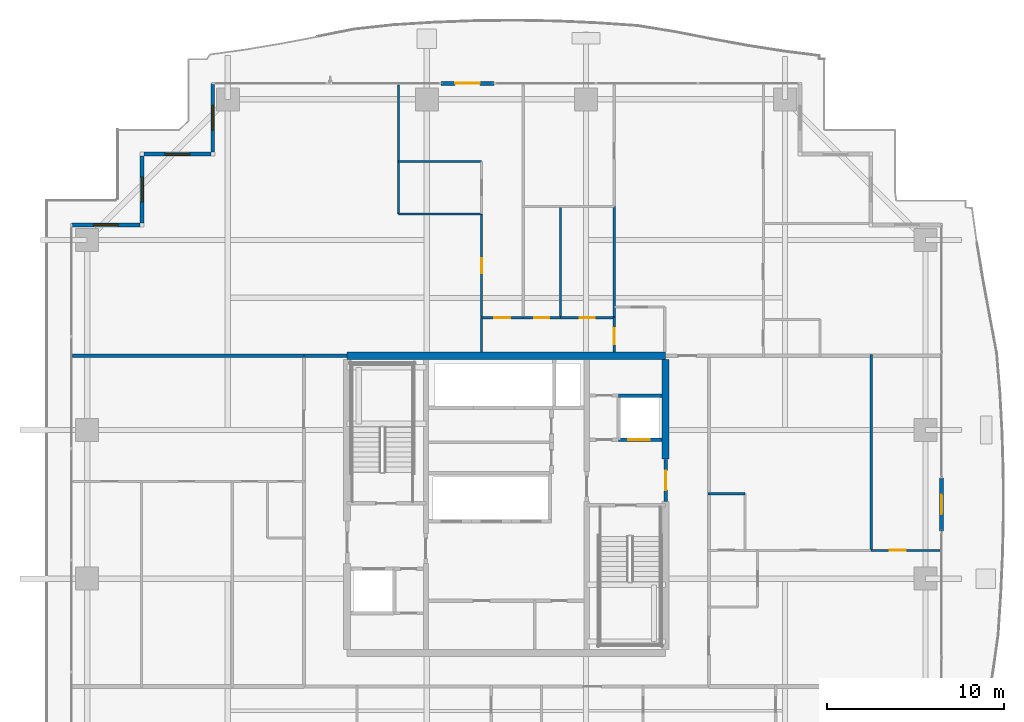
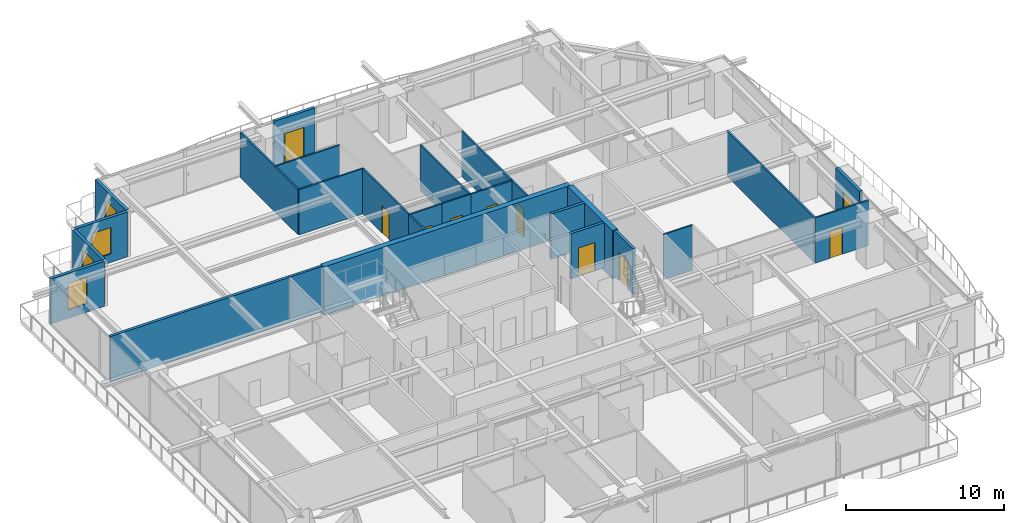
# One storey, part 27 of 34: 27 walls, 10 doors, 4 windows, 14 openings.
"""IFC4 building model written with IfcOpenShell, lengths in metres."""

from ifc_helpers import new_model, si_unit, direction, frame, frame_2d, origin, place, context, subcontext, project, spatial, rectangle, extrude, source, transform, mapped, material, layer, layer_set, type_object, element, fill, save


model = new_model("IFC4")

# Units and contexts
model_context = context("Model", 3, precision=1e-05, world=origin(), true_north=direction((0.0, 1.0)))
body_context = subcontext(model_context, "Body", "Model", "MODEL_VIEW")
ifc_project = project(units=[si_unit("LENGTHUNIT", "METRE"), si_unit("AREAUNIT", "SQUARE_METRE"), si_unit("VOLUMEUNIT", "CUBIC_METRE"), si_unit("PLANEANGLEUNIT", "RADIAN"), si_unit("MASSUNIT", "GRAM", prefix="KILO")], contexts=[model_context])

# Site, building, storey
site_placement = place(None, origin())
site = spatial("IfcSite", under=ifc_project, at=site_placement, CompositionType="ELEMENT")
building_placement = place(site_placement, origin())
building = spatial("IfcBuilding", under=site, at=building_placement, Name="Serunith Strait Residences", CompositionType="ELEMENT")
storey_placement = place(building_placement, frame((0.0, 0.0, 135.14990234375)))
storey = spatial("IfcBuildingStorey", under=building, at=storey_placement, Name="L33", CompositionType="ELEMENT", Elevation=135.14990234375)

# Wall, opening, door
ifc_material_1 = material(Name="Pale-Champagne Aluminium Insulated Panel", Category="aluminium")
ifc_layer_1 = layer(ifc_material_1, 0.219970703125, Name="Pale-Champagne Aluminium Insulated Panel")
ifc_layer_set_1 = layer_set([ifc_layer_1], Name="Pale-Champagne Aluminium Insulated Panel")
wall_type_1 = type_object("IfcWallType", Name="EW-ALUM-220", PredefinedType="ELEMENTEDWALL", material=ifc_layer_set_1)
wall_1_placement = place(storey_placement, frame((57.0, 23.699951171875, 0.0), z_axis=(0.0, 0.0, 1.0), x_axis=(0.0, 1.0, 0.0)))
wall_1 = element("IfcWall", 1, at=wall_1_placement, inside=storey, type_object=wall_type_1, Name="L33 E Facade Pier Wall", PredefinedType="ELEMENTEDWALL", context=body_context, shape_type="SweptSolid", body=[
    extrude(rectangle(XDim=3.0, YDim=0.219970703125, at=frame_2d((1.5, 0.0))), origin(), (0.0, 0.0, 1.0), 3.47509765625),
])
opening_1_placement = place(wall_1_placement, frame((0.949951171875, 0.0, 0.0)))
opening_1 = element("IfcOpeningElement", 2, at=opening_1_placement, cuts=wall_1, Name="Opening ED-03", PredefinedType="OPENING", context=body_context, shape_type="SweptSolid", body=[
    extrude(rectangle(XDim=1.10009765625, YDim=2.199951171875, at=frame_2d((0.550048828125, 1.10009765625))), frame((0.0, 0.1201171875, 0.0), z_axis=(0.0, -1.0, 0.0), x_axis=(1.0, 0.0, 0.0)), (0.0, 0.0, 1.0), 0.239990234375),
])
ifc_material_2 = material(Name="Thermally-Broken Aluminium Glazed Balcony Door", Category="aluminium")
door_type_1 = type_object("IfcDoorType", Name="ED-BALC-1100", OperationType="NOTDEFINED", PredefinedType="DOOR", material=ifc_material_2)
shared_shape_1 = source(origin(), body_context, "Body", "SweptSolid", [
    extrude(rectangle(XDim=1.10009765625, YDim=2.199951171875, at=frame_2d((0.550048828125, 1.10009765625))), frame((0.0, 0.02490234375, 0.0), z_axis=(0.0, -1.0, 0.0), x_axis=(1.0, 0.0, 0.0)), (0.0, 0.0, 1.0), 0.050048828125),
])
door_1_placement = place(opening_1_placement, origin())
door_1 = element("IfcDoor", 3, at=door_1_placement, inside=storey, type_object=door_type_1, Name="L33 E Vertical-Forest Balcony Door", OperationType="SINGLE_SWING_RIGHT", OverallHeight=2.199951171875, OverallWidth=1.10009765625, PredefinedType="DOOR", context=body_context, shape_type="MappedRepresentation", body=[
    mapped(shared_shape_1, transform((0.0, 0.0, 0.0), scale=1.0)),
])
fill(opening_1, door_1)

wall_2_placement = place(storey_placement, frame((31.699951171875, 49.0, 0.0), z_axis=(0.0, 0.0, 1.0), x_axis=(-1.0, 0.0, 0.0)))
wall_2 = element("IfcWall", 4, at=wall_2_placement, inside=storey, type_object=wall_type_1, Name="L33 N Facade Pier Wall", PredefinedType="ELEMENTEDWALL", context=body_context, shape_type="SweptSolid", body=[
    extrude(rectangle(XDim=3.0, YDim=0.219970703125, at=frame_2d((1.5, 0.0))), origin(), (0.0, 0.0, 1.0), 3.47509765625),
])
opening_2_placement = place(wall_2_placement, frame((0.800048828125, 0.0, 0.0)))
opening_2 = element("IfcOpeningElement", 5, at=opening_2_placement, cuts=wall_2, Name="Opening ED-04", PredefinedType="OPENING", context=body_context, shape_type="SweptSolid", body=[
    extrude(rectangle(XDim=1.39990234375, YDim=2.25, at=frame_2d((0.699951171875, 1.125))), frame((0.0, 0.1201171875, 0.0), z_axis=(0.0, -1.0, 0.0), x_axis=(1.0, 0.0, 0.0)), (0.0, 0.0, 1.0), 0.239990234375),
])
ifc_material_3 = material(Name="Thermally-Broken Aluminium Sliding Balcony Door", Category="aluminium")
door_type_2 = type_object("IfcDoorType", Name="ED-BALC-1400", OperationType="NOTDEFINED", PredefinedType="DOOR", material=ifc_material_3)
shared_shape_2 = source(origin(), body_context, "Body", "SweptSolid", [
    extrude(rectangle(XDim=1.39990234375, YDim=2.25, at=frame_2d((0.699951171875, 1.125))), frame((0.0, 0.02490234375, 0.0), z_axis=(0.0, -1.0, 0.0), x_axis=(1.0, 0.0, 0.0)), (0.0, 0.0, 1.0), 0.050048828125),
])
door_2_placement = place(opening_2_placement, origin())
door_2 = element("IfcDoor", 6, at=door_2_placement, inside=storey, type_object=door_type_2, Name="L33 N Vertical-Forest Balcony Door", OperationType="SLIDING_TO_LEFT", OverallHeight=2.25, OverallWidth=1.39990234375, PredefinedType="DOOR", context=body_context, shape_type="MappedRepresentation", body=[
    mapped(shared_shape_2, transform((0.0, 0.0, 0.0), scale=1.0)),
])
fill(opening_2, door_2)

# Wall, opening, window
wall_3_placement = place(storey_placement, frame((15.800048828125, 49.0, 0.0), z_axis=(0.0, 0.0, 1.0), x_axis=(0.0, -1.0, 0.0)))
wall_3 = element("IfcWall", 7, at=wall_3_placement, inside=storey, type_object=wall_type_1, Name="L33 Girih Serrated Corner Wall 12", PredefinedType="ELEMENTEDWALL", context=body_context, shape_type="SweptSolid", body=[
    extrude(rectangle(XDim=3.889892578125, YDim=0.219970703125, at=frame_2d((1.94482421875, 0.0))), origin(), (0.0, 0.0, 1.0), 3.47509765625),
])
opening_3_placement = place(wall_3_placement, frame((1.2451171875, 0.0, 0.64990234375)))
opening_3 = element("IfcOpeningElement", 8, at=opening_3_placement, cuts=wall_3, Name="Opening W-03", PredefinedType="OPENING", context=body_context, shape_type="SweptSolid", body=[
    extrude(rectangle(XDim=1.39990234375, YDim=2.050048828125, at=frame_2d((0.699951171875, 1.02490234375))), frame((0.0, 0.1201171875, 0.0), z_axis=(0.0, -1.0, 0.0), x_axis=(1.0, 0.0, 0.0)), (0.0, 0.0, 1.0), 0.239990234375),
])
ifc_material_4 = material(Name="Ceramic-Fritted Operable Aluminium Window Glass", Category="aluminium")
window_type = type_object("IfcWindowType", Name="WIN-C3", PartitioningType="SINGLE_PANEL", PredefinedType="WINDOW", material=ifc_material_4)
shared_shape_3 = source(origin(), body_context, "Body", "SweptSolid", [
    extrude(rectangle(XDim=1.39990234375, YDim=2.050048828125, at=frame_2d((0.699951171875, 1.02490234375))), frame((0.0, 0.030029296875, 0.0), z_axis=(0.0, -1.0, 0.0), x_axis=(1.0, 0.0, 0.0)), (0.0, 0.0, 1.0), 0.06005859375),
])
window_1_placement = place(opening_3_placement, origin())
window_1 = element("IfcWindow", 9, at=window_1_placement, inside=storey, type_object=window_type, Name="L33 Corner Operable Fritted Window 12", OverallHeight=2.050048828125, OverallWidth=1.39990234375, PartitioningType="SINGLE_PANEL", PredefinedType="WINDOW", context=body_context, shape_type="MappedRepresentation", body=[
    mapped(shared_shape_3, transform((0.0, 0.0, 0.0), scale=1.0)),
])
fill(opening_3, window_1)

wall_4_placement = place(storey_placement, frame((15.68994140625, 45.0, 0.0), z_axis=(0.0, 0.0, 1.0), x_axis=(-1.0, 0.0, 0.0)))
wall_4 = element("IfcWall", 10, at=wall_4_placement, inside=storey, type_object=wall_type_1, Name="L33 Girih Serrated Corner Wall 13", PredefinedType="ELEMENTEDWALL", context=body_context, shape_type="SweptSolid", body=[
    extrude(rectangle(XDim=3.780029296875, YDim=0.219970703125, at=frame_2d((1.89013671875, 0.0))), origin(), (0.0, 0.0, 1.0), 3.47509765625),
])
opening_4_placement = place(wall_4_placement, frame((1.18994140625, 0.0, 0.64990234375)))
opening_4 = element("IfcOpeningElement", 11, at=opening_4_placement, cuts=wall_4, Name="Opening W-03", PredefinedType="OPENING", context=body_context, shape_type="SweptSolid", body=[
    extrude(rectangle(XDim=1.39990234375, YDim=2.050048828125, at=frame_2d((0.699951171875, 1.02490234375))), frame((0.0, 0.1201171875, 0.0), z_axis=(0.0, -1.0, 0.0), x_axis=(1.0, 0.0, 0.0)), (0.0, 0.0, 1.0), 0.239990234375),
])
window_2_placement = place(opening_4_placement, origin())
window_2 = element("IfcWindow", 12, at=window_2_placement, inside=storey, type_object=window_type, Name="L33 Corner Operable Fritted Window 13", OverallHeight=2.050048828125, OverallWidth=1.39990234375, PartitioningType="SINGLE_PANEL", PredefinedType="WINDOW", context=body_context, shape_type="MappedRepresentation", body=[
    mapped(shared_shape_3, transform((0.0, 0.0, 0.0), scale=1.0)),
])
fill(opening_4, window_2)

wall_5_placement = place(storey_placement, frame((11.800048828125, 44.889892578125, 0.0), z_axis=(0.0, 0.0, 1.0), x_axis=(0.0, -1.0, 0.0)))
wall_5 = element("IfcWall", 13, at=wall_5_placement, inside=storey, type_object=wall_type_1, Name="L33 Girih Serrated Corner Wall 14", PredefinedType="ELEMENTEDWALL", context=body_context, shape_type="SweptSolid", body=[
    extrude(rectangle(XDim=3.77978515625, YDim=0.219970703125, at=frame_2d((1.889892578125, 0.0))), origin(), (0.0, 0.0, 1.0), 3.47509765625),
])
opening_5_placement = place(wall_5_placement, frame((1.18994140625, 0.0, 0.64990234375)))
opening_5 = element("IfcOpeningElement", 14, at=opening_5_placement, cuts=wall_5, Name="Opening W-03", PredefinedType="OPENING", context=body_context, shape_type="SweptSolid", body=[
    extrude(rectangle(XDim=1.39990234375, YDim=2.050048828125, at=frame_2d((0.699951171875, 1.02490234375))), frame((0.0, 0.1201171875, 0.0), z_axis=(0.0, -1.0, 0.0), x_axis=(1.0, 0.0, 0.0)), (0.0, 0.0, 1.0), 0.239990234375),
])
window_3_placement = place(opening_5_placement, origin())
window_3 = element("IfcWindow", 15, at=window_3_placement, inside=storey, type_object=window_type, Name="L33 Corner Operable Fritted Window 14", OverallHeight=2.050048828125, OverallWidth=1.39990234375, PartitioningType="SINGLE_PANEL", PredefinedType="WINDOW", context=body_context, shape_type="MappedRepresentation", body=[
    mapped(shared_shape_3, transform((0.0, 0.0, 0.0), scale=1.0)),
])
fill(opening_5, window_3)

wall_6_placement = place(storey_placement, frame((11.68994140625, 41.0, 0.0), z_axis=(0.0, 0.0, 1.0), x_axis=(-1.0, 0.0, 0.0)))
wall_6 = element("IfcWall", 16, at=wall_6_placement, inside=storey, type_object=wall_type_1, Name="L33 Girih Serrated Corner Wall 15", PredefinedType="ELEMENTEDWALL", context=body_context, shape_type="SweptSolid", body=[
    extrude(rectangle(XDim=3.889892578125, YDim=0.219970703125, at=frame_2d((1.94482421875, 0.0))), origin(), (0.0, 0.0, 1.0), 3.47509765625),
])
opening_6_placement = place(wall_6_placement, frame((1.2451171875, 0.0, 0.64990234375)))
opening_6 = element("IfcOpeningElement", 17, at=opening_6_placement, cuts=wall_6, Name="Opening W-03", PredefinedType="OPENING", context=body_context, shape_type="SweptSolid", body=[
    extrude(rectangle(XDim=1.39990234375, YDim=2.050048828125, at=frame_2d((0.699951171875, 1.02490234375))), frame((0.0, 0.1201171875, 0.0), z_axis=(0.0, -1.0, 0.0), x_axis=(1.0, 0.0, 0.0)), (0.0, 0.0, 1.0), 0.239990234375),
])
window_4_placement = place(opening_6_placement, origin())
window_4 = element("IfcWindow", 18, at=window_4_placement, inside=storey, type_object=window_type, Name="L33 Corner Operable Fritted Window 15", OverallHeight=2.050048828125, OverallWidth=1.39990234375, PartitioningType="SINGLE_PANEL", PredefinedType="WINDOW", context=body_context, shape_type="MappedRepresentation", body=[
    mapped(shared_shape_3, transform((0.0, 0.0, 0.0), scale=1.0)),
])
fill(opening_6, window_4)

# Wall
ifc_material_5 = material(Name="Fire-rated acoustic gypsum partition")
ifc_layer_2 = layer(ifc_material_5, 0.179931640625, Name="Fire-rated acoustic gypsum partition")
ifc_layer_set_2 = layer_set([ifc_layer_2], Name="Fire-rated acoustic gypsum partition")
wall_type_2 = type_object("IfcWallType", Name="IW-CORR-180", PredefinedType="PARTITIONING", material=ifc_layer_set_2)
wall_7_placement = place(storey_placement, frame((20.951904296875, 33.60009765625, 0.0), z_axis=(0.0, 0.0, 1.0), x_axis=(1.0, 0.0, 0.0)))
element("IfcWall", 19, at=wall_7_placement, inside=storey, type_object=wall_type_2, Name="L33 Partition Wall 027", PredefinedType="PARTITIONING", context=body_context, shape_type="SweptSolid", body=[
    extrude(rectangle(XDim=2.446044921875, YDim=0.179931640625, at=frame_2d((1.22314453125, 0.0))), origin(), (0.0, 0.0, 1.0), 3.489990234375),
])

# Wall, opening, door
ifc_material_6 = material(Name="Lightweight steel-stud gypsum partition", Category="steel")
ifc_layer_3 = layer(ifc_material_6, 0.1201171875, Name="Lightweight steel-stud gypsum partition")
ifc_layer_set_3 = layer_set([ifc_layer_3], Name="Lightweight steel-stud gypsum partition")
wall_type_3 = type_object("IfcWallType", Name="IW-PART-120", PredefinedType="PARTITIONING", material=ifc_layer_set_3)
wall_8_placement = place(storey_placement, frame((38.5, 35.75, 0.0), z_axis=(0.0, 0.0, 1.0), x_axis=(0.0, -1.0, 0.0)))
wall_8 = element("IfcWall", 20, at=wall_8_placement, inside=storey, type_object=wall_type_3, Name="L33 Partition Wall 063", PredefinedType="PARTITIONING", context=body_context, shape_type="SweptSolid", body=[
    extrude(rectangle(XDim=1.949951171875, YDim=0.1201171875, at=frame_2d((0.97509765625, 0.0))), origin(), (0.0, 0.0, 1.0), 3.489990234375),
])
opening_7_placement = place(wall_8_placement, frame((0.594970703125, 0.0, 0.0)))
opening_7 = element("IfcOpeningElement", 21, at=opening_7_placement, cuts=wall_8, Name="Opening D-RM900", PredefinedType="OPENING", context=body_context, shape_type="SweptSolid", body=[
    extrude(rectangle(XDim=0.89990234375, YDim=2.10009765625, at=frame_2d((0.449951171875, 1.050048828125))), frame((0.0, 0.070068359375, 0.0), z_axis=(0.0, -1.0, 0.0), x_axis=(1.0, 0.0, 0.0)), (0.0, 0.0, 1.0), 0.14013671875),
])
ifc_material_7 = material(Name="Engineered timber flush bedroom door", Category="wood")
door_type_3 = type_object("IfcDoorType", Name="ID-ROOM-900", OperationType="NOTDEFINED", PredefinedType="DOOR", material=ifc_material_7)
shared_shape_4 = source(origin(), body_context, "Body", "SweptSolid", [
    extrude(rectangle(XDim=0.89990234375, YDim=2.10009765625, at=frame_2d((0.449951171875, 1.050048828125))), frame((0.0, 0.02490234375, 0.0), z_axis=(0.0, -1.0, 0.0), x_axis=(1.0, 0.0, 0.0)), (0.0, 0.0, 1.0), 0.050048828125),
])
door_3_placement = place(opening_7_placement, origin())
door_3 = element("IfcDoor", 22, at=door_3_placement, inside=storey, type_object=door_type_3, Name="L33 Hall W 3302 Door", OperationType="SINGLE_SWING_LEFT", OverallHeight=2.10009765625, OverallWidth=0.89990234375, PredefinedType="DOOR", context=body_context, shape_type="MappedRepresentation", body=[
    mapped(shared_shape_4, transform((0.0, 0.0, 0.0), scale=1.0)),
])
fill(opening_7, door_3)

# Walls
wall_9_placement = place(storey_placement, frame((38.5, 42.041015625, 0.0), z_axis=(0.0, 0.0, 1.0), x_axis=(0.0, -1.0, 0.0)))
element("IfcWall", 23, at=wall_9_placement, inside=storey, type_object=wall_type_3, Name="L33 Partition Wall 065", PredefinedType="PARTITIONING", context=body_context, shape_type="SweptSolid", body=[
    extrude(rectangle(XDim=6.2890625, YDim=0.1201171875, at=frame_2d((3.14453125, 0.0))), origin(), (0.0, 0.0, 1.0), 3.489990234375),
])
wall_10_placement = place(storey_placement, frame((35.449951171875, 42.04296875, 0.0), z_axis=(0.0, 0.0, 1.0), x_axis=(0.0, -1.0, 0.0)))
element("IfcWall", 24, at=wall_10_placement, inside=storey, type_object=wall_type_3, Name="L33 Partition Wall 068", PredefinedType="PARTITIONING", context=body_context, shape_type="SweptSolid", body=[
    extrude(rectangle(XDim=6.29296875, YDim=0.1201171875, at=frame_2d((3.146484375, 0.0))), origin(), (0.0, 0.0, 1.0), 3.489990234375),
])

# Wall, opening, door
wall_11_placement = place(storey_placement, frame((33.35009765625, 35.75, 0.0), z_axis=(0.0, 0.0, 1.0), x_axis=(1.0, 0.0, 0.0)))
wall_11 = element("IfcWall", 25, at=wall_11_placement, inside=storey, type_object=wall_type_3, Name="L33 Partition Wall 069", PredefinedType="PARTITIONING", context=body_context, shape_type="SweptSolid", body=[
    extrude(rectangle(XDim=2.099853515625, YDim=0.1201171875, at=frame_2d((1.0498046875, 0.0))), origin(), (0.0, 0.0, 1.0), 3.489990234375),
])
opening_8_placement = place(wall_11_placement, frame((0.625, 0.0, 0.0)))
opening_8 = element("IfcOpeningElement", 26, at=opening_8_placement, cuts=wall_11, Name="Opening D-BTH850", PredefinedType="OPENING", context=body_context, shape_type="SweptSolid", body=[
    extrude(rectangle(XDim=0.85009765625, YDim=2.10009765625, at=frame_2d((0.425048828125, 1.050048828125))), frame((0.0, 0.070068359375, 0.0), z_axis=(0.0, -1.0, 0.0), x_axis=(1.0, 0.0, 0.0)), (0.0, 0.0, 1.0), 0.14013671875),
])
ifc_material_8 = material(Name="Moisture-resistant timber bathroom door", Category="wood")
door_type_4 = type_object("IfcDoorType", Name="ID-BATH-850", OperationType="NOTDEFINED", PredefinedType="DOOR", material=ifc_material_8)
shared_shape_5 = source(origin(), body_context, "Body", "SweptSolid", [
    extrude(rectangle(XDim=0.85009765625, YDim=2.10009765625, at=frame_2d((0.425048828125, 1.050048828125))), frame((0.0, 0.02490234375, 0.0), z_axis=(0.0, -1.0, 0.0), x_axis=(1.0, 0.0, 0.0)), (0.0, 0.0, 1.0), 0.050048828125),
])
door_4_placement = place(opening_8_placement, origin())
door_4 = element("IfcDoor", 27, at=door_4_placement, inside=storey, type_object=door_type_4, Name="L33 Bathroom 3302 Door", OperationType="SINGLE_SWING_LEFT", OverallHeight=2.10009765625, OverallWidth=0.85009765625, PredefinedType="DOOR", context=body_context, shape_type="MappedRepresentation", body=[
    mapped(shared_shape_5, transform((0.0, 0.0, 0.0), scale=1.0)),
])
fill(opening_8, door_4)

wall_12_placement = place(storey_placement, frame((35.451904296875, 35.75, 0.0), z_axis=(0.0, 0.0, 1.0), x_axis=(1.0, 0.0, 0.0)))
wall_12 = element("IfcWall", 28, at=wall_12_placement, inside=storey, type_object=wall_type_3, Name="L33 Partition Wall 070", PredefinedType="PARTITIONING", context=body_context, shape_type="SweptSolid", body=[
    extrude(rectangle(XDim=3.048095703125, YDim=0.1201171875, at=frame_2d((1.52392578125, 0.0))), origin(), (0.0, 0.0, 1.0), 3.489990234375),
])
opening_9_placement = place(wall_12_placement, frame((1.09912109375, 0.0, 0.0)))
opening_9 = element("IfcOpeningElement", 29, at=opening_9_placement, cuts=wall_12, Name="Opening D-RM850", PredefinedType="OPENING", context=body_context, shape_type="SweptSolid", body=[
    extrude(rectangle(XDim=0.85009765625, YDim=2.10009765625, at=frame_2d((0.425048828125, 1.050048828125))), frame((0.0, 0.070068359375, 0.0), z_axis=(0.0, -1.0, 0.0), x_axis=(1.0, 0.0, 0.0)), (0.0, 0.0, 1.0), 0.14013671875),
])
ifc_material_9 = material(Name="Engineered timber flush study and kitchen door", Category="wood")
door_type_5 = type_object("IfcDoorType", Name="ID-ROOM-850", OperationType="NOTDEFINED", PredefinedType="DOOR", material=ifc_material_9)
door_5_placement = place(opening_9_placement, origin())
door_5 = element("IfcDoor", 30, at=door_5_placement, inside=storey, type_object=door_type_5, Name="L33 Formal Dining Room 3302 Door", OperationType="SINGLE_SWING_RIGHT", OverallHeight=2.10009765625, OverallWidth=0.85009765625, PredefinedType="DOOR", context=body_context, shape_type="MappedRepresentation", body=[
    mapped(shared_shape_5, transform((0.0, 0.0, 0.0), scale=1.0)),
])
fill(opening_9, door_5)

wall_13_placement = place(storey_placement, frame((31.0, 35.75, 0.0), z_axis=(0.0, 0.0, 1.0), x_axis=(1.0, 0.0, 0.0)))
wall_13 = element("IfcWall", 31, at=wall_13_placement, inside=storey, type_object=wall_type_3, Name="L33 Partition Wall 071", PredefinedType="PARTITIONING", context=body_context, shape_type="SweptSolid", body=[
    extrude(rectangle(XDim=2.347900390625, YDim=0.1201171875, at=frame_2d((1.173828125, 0.0))), origin(), (0.0, 0.0, 1.0), 3.489990234375),
])
opening_10_placement = place(wall_13_placement, frame((0.72412109375, 0.0, 0.0)))
opening_10 = element("IfcOpeningElement", 32, at=opening_10_placement, cuts=wall_13, Name="Opening D-RM900", PredefinedType="OPENING", context=body_context, shape_type="SweptSolid", body=[
    extrude(rectangle(XDim=0.89990234375, YDim=2.10009765625, at=frame_2d((0.449951171875, 1.050048828125))), frame((0.0, 0.070068359375, 0.0), z_axis=(0.0, -1.0, 0.0), x_axis=(1.0, 0.0, 0.0)), (0.0, 0.0, 1.0), 0.14013671875),
])
door_6_placement = place(opening_10_placement, origin())
door_6 = element("IfcDoor", 33, at=door_6_placement, inside=storey, type_object=door_type_3, Name="L33 Master Bedroom W 3302 Door", OperationType="SINGLE_SWING_LEFT", OverallHeight=2.10009765625, OverallWidth=0.89990234375, PredefinedType="DOOR", context=body_context, shape_type="MappedRepresentation", body=[
    mapped(shared_shape_4, transform((0.0, 0.0, 0.0), scale=1.0)),
])
fill(opening_10, door_6)

# Walls
wall_14_placement = place(storey_placement, frame((26.300048828125, 44.592041015625, 0.0), z_axis=(0.0, 0.0, 1.0), x_axis=(1.0, 0.0, 0.0)))
element("IfcWall", 34, at=wall_14_placement, inside=storey, type_object=wall_type_3, Name="L33 Partition Wall 072", PredefinedType="PARTITIONING", context=body_context, shape_type="SweptSolid", body=[
    extrude(rectangle(XDim=4.699951171875, YDim=0.1201171875, at=frame_2d((2.35009765625, 0.0))), origin(), (0.0, 0.0, 1.0), 3.489990234375),
])
wall_15_placement = place(storey_placement, frame((26.300048828125, 48.905029296875, 0.0), z_axis=(0.0, 0.0, 1.0), x_axis=(0.0, -1.0, 0.0)))
element("IfcWall", 35, at=wall_15_placement, inside=storey, type_object=wall_type_3, Name="L33 Partition Wall 073", PredefinedType="PARTITIONING", context=body_context, shape_type="SweptSolid", body=[
    extrude(rectangle(XDim=7.2919921875, YDim=0.1201171875, at=frame_2d((3.64599609375, 0.0))), origin(), (0.0, 0.0, 1.0), 3.489990234375),
])
wall_16_placement = place(storey_placement, frame((26.300048828125, 41.613037109375, 0.0), z_axis=(0.0, 0.0, 1.0), x_axis=(1.0, 0.0, 0.0)))
element("IfcWall", 36, at=wall_16_placement, inside=storey, type_object=wall_type_3, Name="L33 Partition Wall 074", PredefinedType="PARTITIONING", context=body_context, shape_type="SweptSolid", body=[
    extrude(rectangle(XDim=4.699951171875, YDim=0.1201171875, at=frame_2d((2.35009765625, 0.0))), origin(), (0.0, 0.0, 1.0), 3.489990234375),
])

# Wall, opening, door
wall_17_placement = place(storey_placement, frame((31.0, 41.611083984375, 0.0), z_axis=(0.0, 0.0, 1.0), x_axis=(0.0, -1.0, 0.0)))
wall_17 = element("IfcWall", 37, at=wall_17_placement, inside=storey, type_object=wall_type_3, Name="L33 Partition Wall 076", PredefinedType="PARTITIONING", context=body_context, shape_type="SweptSolid", body=[
    extrude(rectangle(XDim=5.861083984375, YDim=0.1201171875, at=frame_2d((2.9306640625, 0.0))), origin(), (0.0, 0.0, 1.0), 3.489990234375),
])
opening_11_placement = place(wall_17_placement, frame((2.5048828125, 0.0, 0.0)))
opening_11 = element("IfcOpeningElement", 38, at=opening_11_placement, cuts=wall_17, Name="Opening D-RM850", PredefinedType="OPENING", context=body_context, shape_type="SweptSolid", body=[
    extrude(rectangle(XDim=0.85009765625, YDim=2.10009765625, at=frame_2d((0.425048828125, 1.050048828125))), frame((0.0, 0.070068359375, 0.0), z_axis=(0.0, -1.0, 0.0), x_axis=(1.0, 0.0, 0.0)), (0.0, 0.0, 1.0), 0.14013671875),
])
door_7_placement = place(opening_11_placement, origin())
door_7 = element("IfcDoor", 39, at=door_7_placement, inside=storey, type_object=door_type_5, Name="L33 Wardrobe W 3302 Door", OperationType="SINGLE_SWING_LEFT", OverallHeight=2.10009765625, OverallWidth=0.85009765625, PredefinedType="DOOR", context=body_context, shape_type="MappedRepresentation", body=[
    mapped(shared_shape_5, transform((0.0, 0.0, 0.0), scale=1.0)),
])
fill(opening_11, door_7)

# Wall
wall_18_placement = place(storey_placement, frame((31.0, 35.748046875, 0.0), z_axis=(0.0, 0.0, 1.0), x_axis=(0.0, -1.0, 0.0)))
element("IfcWall", 40, at=wall_18_placement, inside=storey, type_object=wall_type_3, Name="L33 Partition Wall 077", PredefinedType="PARTITIONING", context=body_context, shape_type="SweptSolid", body=[
    extrude(rectangle(XDim=1.947998046875, YDim=0.1201171875, at=frame_2d((0.97412109375, 0.0))), origin(), (0.0, 0.0, 1.0), 3.489990234375),
])

# Wall, opening, door
wall_19_placement = place(storey_placement, frame((56.905029296875, 22.60009765625, 0.0), z_axis=(0.0, 0.0, 1.0), x_axis=(-1.0, 0.0, 0.0)))
wall_19 = element("IfcWall", 41, at=wall_19_placement, inside=storey, type_object=wall_type_3, Name="L33 Partition Wall 094", PredefinedType="PARTITIONING", context=body_context, shape_type="SweptSolid", body=[
    extrude(rectangle(XDim=3.879150390625, YDim=0.1201171875, at=frame_2d((1.939453125, 0.0))), origin(), (0.0, 0.0, 1.0), 3.489990234375),
])
opening_12_placement = place(wall_19_placement, frame((1.91796875, 0.0, 0.0)))
opening_12 = element("IfcOpeningElement", 42, at=opening_12_placement, cuts=wall_19, Name="Opening D-RM900", PredefinedType="OPENING", context=body_context, shape_type="SweptSolid", body=[
    extrude(rectangle(XDim=0.89990234375, YDim=2.10009765625, at=frame_2d((0.449951171875, 1.050048828125))), frame((0.0, 0.070068359375, 0.0), z_axis=(0.0, -1.0, 0.0), x_axis=(1.0, 0.0, 0.0)), (0.0, 0.0, 1.0), 0.14013671875),
])
door_8_placement = place(opening_12_placement, origin())
door_8 = element("IfcDoor", 43, at=door_8_placement, inside=storey, type_object=door_type_3, Name="L33 Master Bedroom 1 3304 Door", OperationType="SINGLE_SWING_RIGHT", OverallHeight=2.10009765625, OverallWidth=0.89990234375, PredefinedType="DOOR", context=body_context, shape_type="MappedRepresentation", body=[
    mapped(shared_shape_4, transform((0.0, 0.0, 0.0), scale=1.0)),
])
fill(opening_12, door_8)

# Walls
wall_20_placement = place(storey_placement, frame((53.02587890625, 22.60009765625, 0.0), z_axis=(0.0, 0.0, 1.0), x_axis=(0.0, 1.0, 0.0)))
element("IfcWall", 44, at=wall_20_placement, inside=storey, type_object=wall_type_3, Name="L33 Partition Wall 095", PredefinedType="PARTITIONING", context=body_context, shape_type="SweptSolid", body=[
    extrude(rectangle(XDim=11.059814453125, YDim=0.1201171875, at=frame_2d((5.52978515625, 0.0))), origin(), (0.0, 0.0, 1.0), 3.489990234375),
])
wall_21_placement = place(storey_placement, frame((45.89990234375, 25.800048828125, 0.0), z_axis=(0.0, 0.0, 1.0), x_axis=(-1.0, 0.0, 0.0)))
element("IfcWall", 45, at=wall_21_placement, inside=storey, type_object=wall_type_3, Name="L33 Partition Wall 097", PredefinedType="PARTITIONING", context=body_context, shape_type="SweptSolid", body=[
    extrude(rectangle(XDim=2.10986328125, YDim=0.1201171875, at=frame_2d((1.054931640625, 0.0))), origin(), (0.0, 0.0, 1.0), 3.489990234375),
])
ifc_material_10 = material(Name="Twin-stud acoustic gypsum board partition")
ifc_layer_4 = layer(ifc_material_10, 0.199951171875, Name="Twin-stud acoustic gypsum board partition")
ifc_layer_set_4 = layer_set([ifc_layer_4], Name="Twin-stud acoustic gypsum board partition")
wall_type_4 = type_object("IfcWallType", Name="IW-PARTY-200", PredefinedType="PARTITIONING", material=ifc_layer_set_4)
wall_22_placement = place(storey_placement, frame((7.882080078125, 33.60009765625, 0.0), z_axis=(0.0, 0.0, 1.0), x_axis=(1.0, 0.0, 0.0)))
element("IfcWall", 46, at=wall_22_placement, inside=storey, type_object=wall_type_4, Name="L33 Partition Wall 022", PredefinedType="PARTITIONING", context=body_context, shape_type="SweptSolid", body=[
    extrude(rectangle(XDim=13.06787109375, YDim=0.199951171875, at=frame_2d((6.533935546875, 0.0))), origin(), (0.0, 0.0, 1.0), 3.489990234375),
])

# Wall, opening, door
ifc_material_11 = material(Name="Autoclaved aerated concrete blockwork", Category="masonry")
ifc_layer_5 = layer(ifc_material_11, 0.199951171875, Name="Autoclaved aerated concrete blockwork")
ifc_layer_set_5 = layer_set([ifc_layer_5], Name="Autoclaved aerated concrete blockwork")
wall_type_5 = type_object("IfcWallType", Name="IW-SHAFT-200", PredefinedType="STANDARD", material=ifc_layer_set_5)
wall_23_placement = place(storey_placement, frame((38.75, 28.85009765625, 0.0), z_axis=(0.0, 0.0, 1.0), x_axis=(1.0, 0.0, 0.0)))
wall_23 = element("IfcWall", 47, at=wall_23_placement, inside=storey, type_object=wall_type_5, Name="L33 FL-2 South Shaft Wall", PredefinedType="STANDARD", context=body_context, shape_type="SweptSolid", body=[
    extrude(rectangle(XDim=2.449951171875, YDim=0.199951171875, at=frame_2d((1.22509765625, 0.0))), origin(), (0.0, 0.0, 1.0), 3.489990234375),
])
opening_13_placement = place(wall_23_placement, frame((0.550048828125, 0.0, 0.0)))
opening_13 = element("IfcOpeningElement", 48, at=opening_13_placement, cuts=wall_23, Name="Opening LD-FF1200", PredefinedType="OPENING", context=body_context, shape_type="SweptSolid", body=[
    extrude(rectangle(XDim=1.199951171875, YDim=2.199951171875, at=frame_2d((0.60009765625, 1.10009765625))), frame((0.0, 0.10986328125, 0.0), z_axis=(0.0, -1.0, 0.0), x_axis=(1.0, 0.0, 0.0)), (0.0, 0.0, 1.0), 0.219970703125),
])
ifc_material_12 = material(Name="Brushed stainless steel landing door", Category="steel")
door_type_6 = type_object("IfcDoorType", Name="LD-FF-1200", OperationType="DOUBLE_DOOR_SLIDING", PredefinedType="DOOR", material=ifc_material_12)
shared_shape_6 = source(origin(), body_context, "Body", "SweptSolid", [
    extrude(rectangle(XDim=1.199951171875, YDim=2.199951171875, at=frame_2d((0.60009765625, 1.10009765625))), frame((0.0, 0.02490234375, 0.0), z_axis=(0.0, -1.0, 0.0), x_axis=(1.0, 0.0, 0.0)), (0.0, 0.0, 1.0), 0.050048828125),
])
door_9_placement = place(opening_13_placement, origin())
door_9 = element("IfcDoor", 49, at=door_9_placement, inside=storey, type_object=door_type_6, Name="L33 FL-2 Landing Door", OperationType="DOUBLE_DOOR_SLIDING", OverallHeight=2.199951171875, OverallWidth=1.199951171875, PredefinedType="DOOR", context=body_context, shape_type="MappedRepresentation", body=[
    mapped(shared_shape_6, transform((0.0, 0.0, 0.0), scale=1.0)),
])
fill(opening_13, door_9)

# Wall
wall_24_placement = place(storey_placement, frame((38.75, 31.35009765625, 0.0), z_axis=(0.0, 0.0, 1.0), x_axis=(1.0, 0.0, 0.0)))
element("IfcWall", 50, at=wall_24_placement, inside=storey, type_object=wall_type_5, Name="L33 Partition Wall 005", PredefinedType="STANDARD", context=body_context, shape_type="SweptSolid", body=[
    extrude(rectangle(XDim=2.449951171875, YDim=0.199951171875, at=frame_2d((1.22509765625, 0.0))), origin(), (0.0, 0.0, 1.0), 3.489990234375),
])

# Wall, opening, door
wall_25_placement = place(storey_placement, frame((41.39990234375, 25.35205078125, 0.0), z_axis=(0.0, 0.0, 1.0), x_axis=(0.0, 1.0, 0.0)))
wall_25 = element("IfcWall", 51, at=wall_25_placement, inside=storey, type_object=wall_type_5, Name="L33 Partition Wall 008", PredefinedType="STANDARD", context=body_context, shape_type="SweptSolid", body=[
    extrude(rectangle(XDim=2.39599609375, YDim=0.199951171875, at=frame_2d((1.197998046875, 0.0))), origin(), (0.0, 0.0, 1.0), 3.489990234375),
])
opening_14_placement = place(wall_25_placement, frame((0.64794921875, 0.0, 0.0)))
opening_14 = element("IfcOpeningElement", 52, at=opening_14_placement, cuts=wall_25, Name="Opening FD-FFL", PredefinedType="OPENING", context=body_context, shape_type="SweptSolid", body=[
    extrude(rectangle(XDim=1.10009765625, YDim=2.14990234375, at=frame_2d((0.550048828125, 1.074951171875))), frame((0.0, 0.10986328125, 0.0), z_axis=(0.0, -1.0, 0.0), x_axis=(1.0, 0.0, 0.0)), (0.0, 0.0, 1.0), 0.219970703125),
])
ifc_material_13 = material(Name="Glazed steel smoke-lobby fire door", Category="steel")
door_type_7 = type_object("IfcDoorType", Name="FD-FFL-1100", OperationType="NOTDEFINED", PredefinedType="DOOR", material=ifc_material_13)
shared_shape_7 = source(origin(), body_context, "Body", "SweptSolid", [
    extrude(rectangle(XDim=1.10009765625, YDim=2.14990234375, at=frame_2d((0.550048828125, 1.074951171875))), frame((0.0, 0.02490234375, 0.0), z_axis=(0.0, -1.0, 0.0), x_axis=(1.0, 0.0, 0.0)), (0.0, 0.0, 1.0), 0.050048828125),
])
door_10_placement = place(opening_14_placement, origin())
door_10 = element("IfcDoor", 53, at=door_10_placement, inside=storey, type_object=door_type_7, Name="L33 FFL-2 Corridor Fire Door", OperationType="SINGLE_SWING_RIGHT", OverallHeight=2.14990234375, OverallWidth=1.10009765625, PredefinedType="DOOR", context=body_context, shape_type="MappedRepresentation", body=[
    mapped(shared_shape_7, transform((0.0, 0.0, 0.0), scale=1.0)),
])
fill(opening_14, door_10)

# Walls
ifc_material_14 = material(Name="Concrete C70/85", Category="concrete")
ifc_layer_6 = layer(ifc_material_14, 0.39990234375, Name="Concrete C70/85")
ifc_layer_set_6 = layer_set([ifc_layer_6], Name="Concrete C70/85")
wall_type_6 = type_object("IfcWallType", Name="SW-400-C70", PredefinedType="SHEAR", material=ifc_layer_set_6)
wall_26_placement = place(storey_placement, frame((41.39990234375, 33.60009765625, -0.260009765625), z_axis=(0.0, 0.0, 1.0), x_axis=(-1.0, 0.0, 0.0)))
element("IfcWall", 54, at=wall_26_placement, inside=storey, type_object=wall_type_6, Name="L33 Core North Shear Wall", PredefinedType="SHEAR", context=body_context, shape_type="SweptSolid", body=[
    extrude(rectangle(XDim=18.0, YDim=0.39990234375, at=frame_2d((9.0, 0.0))), origin(), (0.0, 0.0, 1.0), 3.748046875),
])
wall_27_placement = place(storey_placement, frame((41.39990234375, 27.75, -0.260009765625), z_axis=(0.0, 0.0, 1.0), x_axis=(0.0, 1.0, 0.0)))
element("IfcWall", 55, at=wall_27_placement, inside=storey, type_object=wall_type_6, Name="L33 Core East Shear Wall North Pier", PredefinedType="SHEAR", context=body_context, shape_type="SweptSolid", body=[
    extrude(rectangle(XDim=5.64990234375, YDim=0.39990234375, at=frame_2d((2.824951171875, 0.0))), origin(), (0.0, 0.0, 1.0), 3.748046875),
])

save(model, "model.ifc")
